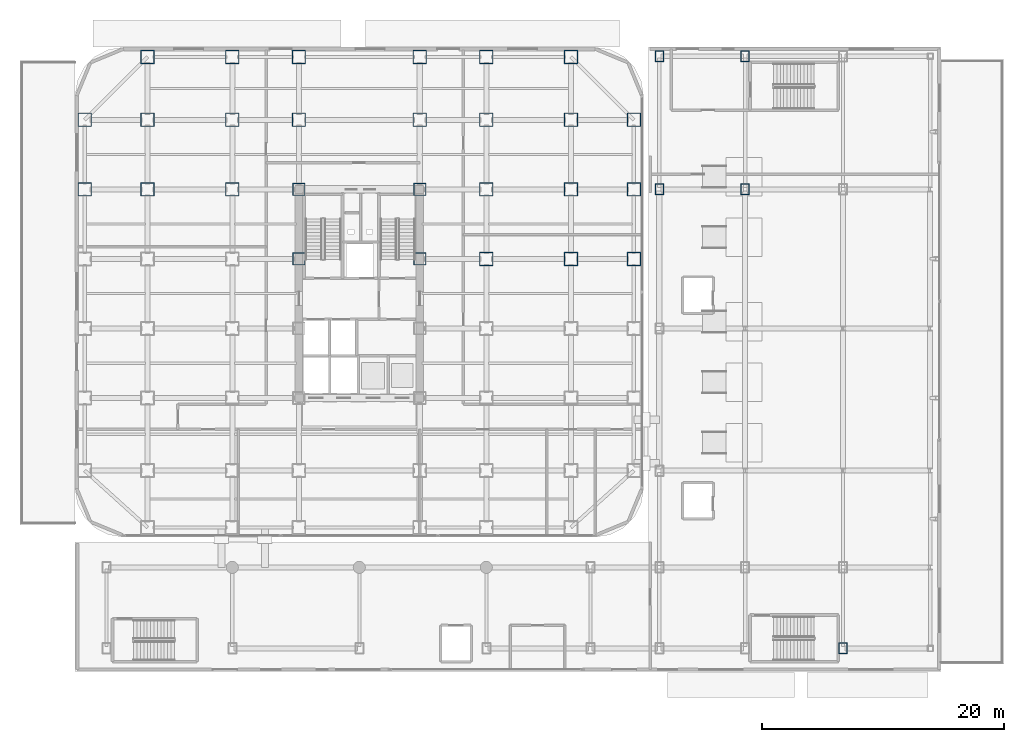
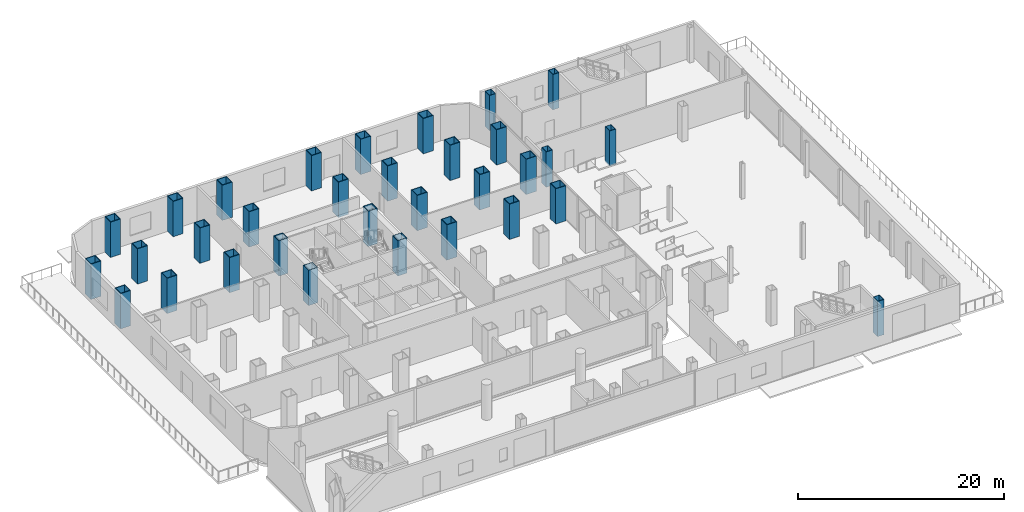
# One storey, part 2 of 31: 32 columns.
"""IFC4 building model written with IfcOpenShell, lengths in metres."""

import ifcopenshell
import ifcopenshell.guid

model = None  # the IFC model being written
_history = None  # IfcOwnerHistory: only IFC2X3 demands one
_inside = {}  # id of a spatial element -> (the spatial element, [elements in it])
_under = {}  # id of a project, library or spatial element -> (it, [spatial elements below it])
_declared = {}  # id of a project -> (the project, [libraries it declares])
_typed = {}  # id of a type object -> (the type object, [elements of that type])
_made_of = {}  # id of a material, layer set ... -> (it, [elements and type objects made of it])


def new_model(schema):
    """Start an empty IFC model of exactly this schema.

    Asked for "IFC4X3", IfcOpenShell would pick the latest addendum, in which some entities
    have other attributes; the version numbers below select the first issue.
    IFC2X3 requires an IfcOwnerHistory on every rooted entity: one is made here for all.
    """
    global model, _history
    if schema == "IFC4X3":
        model = ifcopenshell.file(schema_version=(4, 3, 0, 0))
    else:
        model = ifcopenshell.file(schema=schema)
    _inside.clear()
    _under.clear()
    _declared.clear()
    _typed.clear()
    _made_of.clear()
    _history = None
    if model.schema == "IFC2X3":
        org = make("IfcOrganization", Name="unknown")
        user = make(
            "IfcPersonAndOrganization",
            ThePerson=make("IfcPerson", FamilyName="unknown"),
            TheOrganization=org,
        )
        app = make(
            "IfcApplication",
            ApplicationDeveloper=org,
            Version="unknown",
            ApplicationFullName="unknown",
            ApplicationIdentifier="unknown",
        )
        _history = make(
            "IfcOwnerHistory",
            OwningUser=user,
            OwningApplication=app,
            ChangeAction="ADDED",
            CreationDate=0,
        )
    return model


def make(cls, **values):
    """One entity of the class cls with the attributes given. An attribute that is None is left unset."""
    return model.create_entity(
        cls, **{name: value for name, value in values.items() if value is not None}
    )


def rooted(cls, **values):
    """An entity with a GlobalId (a new one), such as an element, a storey or a relation."""
    return make(cls, GlobalId=ifcopenshell.guid.new(), OwnerHistory=_history, **values)


def si_unit(unit_type, name, prefix=None):
    """IfcSIUnit, for example si_unit("LENGTHUNIT", "METRE", prefix="MILLI")."""
    return make("IfcSIUnit", UnitType=unit_type, Prefix=prefix, Name=name)


def assignment(units):
    """IfcUnitAssignment: the units of a project."""
    return None if units is None else make("IfcUnitAssignment", Units=units)


def point(xyz):
    """IfcCartesianPoint."""
    return None if xyz is None else make("IfcCartesianPoint", Coordinates=xyz)


def direction(xyz):
    """IfcDirection."""
    return None if xyz is None else make("IfcDirection", DirectionRatios=xyz)


def frame(location, z_axis=None, x_axis=None):
    """IfcAxis2Placement3D, a coordinate frame: its origin and axes. An axis left out is left unset."""
    return make(
        "IfcAxis2Placement3D",
        Location=point(location),
        Axis=direction(z_axis),
        RefDirection=direction(x_axis),
    )


def frame_2d(location, x_axis=None):
    """IfcAxis2Placement2D, a coordinate frame in the plane: its origin and x axis."""
    return make(
        "IfcAxis2Placement2D", Location=point(location), RefDirection=direction(x_axis)
    )


def origin():
    """The frame at (0, 0, 0) with its axes left unset."""
    return frame((0.0, 0.0, 0.0))


def origin_2d():
    """The frame at (0, 0) in the plane with its x axis left unset."""
    return frame_2d((0.0, 0.0))


def place(relative_to, where):
    """IfcLocalPlacement: puts the frame where relative to a parent placement (None: the world)."""
    return make(
        "IfcLocalPlacement", PlacementRelTo=relative_to, RelativePlacement=where
    )


def context(
    kind, dimensions, precision=None, world=None, true_north=None, identifier=None
):
    """IfcGeometricRepresentationContext, for example the 3D "Model" context."""
    return make(
        "IfcGeometricRepresentationContext",
        ContextIdentifier=identifier,
        ContextType=kind,
        CoordinateSpaceDimension=dimensions,
        Precision=precision,
        WorldCoordinateSystem=world,
        TrueNorth=true_north,
    )


def subcontext(parent, identifier, kind, view, scale=None):
    """IfcGeometricRepresentationSubContext, for example "Body" below "Model"."""
    return make(
        "IfcGeometricRepresentationSubContext",
        ContextIdentifier=identifier,
        ContextType=kind,
        ParentContext=parent,
        TargetScale=scale,
        TargetView=view,
    )


def project(units=None, contexts=None):
    """IfcProject with its units and contexts."""
    return rooted(
        "IfcProject",
        Name="project",
        RepresentationContexts=contexts,
        UnitsInContext=assignment(units),
    )


def spatial(cls, under=None, at=None, **own):
    """A site, building, storey or space (cls), placed at a placement, below another one or the project."""
    s = rooted(cls, ObjectPlacement=at, **own)
    if under is not None:
        _under.setdefault(under.id(), (under, []))[1].append(s)
    return s


def profile(cls, at=None, kind="AREA", **sizes):
    """A parametric profile (cls). Its sizes go by their IFC names, for example OverallWidth=200.0."""
    return make(cls, ProfileType=kind, Position=at, **sizes)


def hollow_rectangle(**sizes):
    """IfcRectangleHollowProfileDef."""
    return profile("IfcRectangleHollowProfileDef", **sizes)


def extrude(swept, where, along, depth):
    """IfcExtrudedAreaSolid: the profile swept, set in the frame where, extruded along a direction by depth."""
    return make(
        "IfcExtrudedAreaSolid",
        SweptArea=swept,
        Position=where,
        ExtrudedDirection=direction(along),
        Depth=depth,
    )


def shape(context_of_items, identifier, shape_type, items):
    """IfcShapeRepresentation: the items that make up one representation, for example the "Body"."""
    return make(
        "IfcShapeRepresentation",
        ContextOfItems=context_of_items,
        RepresentationIdentifier=identifier,
        RepresentationType=shape_type,
        Items=items,
    )


def source(mapping_origin, context_of_items, identifier, shape_type, items):
    """IfcRepresentationMap: a shape defined once, which mapped items show again and again."""
    return make(
        "IfcRepresentationMap",
        MappingOrigin=mapping_origin,
        MappedRepresentation=shape(context_of_items, identifier, shape_type, items),
    )


def transform(
    local_origin,
    x_axis=None,
    y_axis=None,
    z_axis=None,
    scale=None,
    scale2=None,
    scale3=None,
    uniform=True,
):
    """IfcCartesianTransformationOperator3D, or its non-uniform kind. x_axis, y_axis, z_axis: its Axis1, 2, 3."""
    if uniform:
        return make(
            "IfcCartesianTransformationOperator3D",
            Axis1=direction(x_axis),
            Axis2=direction(y_axis),
            LocalOrigin=point(local_origin),
            Scale=scale,
            Axis3=direction(z_axis),
        )
    return make(
        "IfcCartesianTransformationOperator3DnonUniform",
        Axis1=direction(x_axis),
        Axis2=direction(y_axis),
        LocalOrigin=point(local_origin),
        Scale=scale,
        Axis3=direction(z_axis),
        Scale2=scale2,
        Scale3=scale3,
    )


def mapped(mapping_source, mapping_target):
    """IfcMappedItem: shows the shape of a source again, moved by a transform."""
    return make(
        "IfcMappedItem", MappingSource=mapping_source, MappingTarget=mapping_target
    )


def material(Name=None, Category=None):
    """IfcMaterial."""
    return make("IfcMaterial", Name=Name, Category=Category)


def material_profile(
    of_material, cross_section, Name=None, Category=None, Priority=None
):
    """IfcMaterialProfile: a cross section and its material."""
    return make(
        "IfcMaterialProfile",
        Name=Name,
        Material=of_material,
        Profile=cross_section,
        Priority=Priority,
        Category=Category,
    )


def profile_set(profiles, Name=None, composite=None):
    """IfcMaterialProfileSet."""
    return make(
        "IfcMaterialProfileSet",
        Name=Name,
        MaterialProfiles=profiles,
        CompositeProfile=composite,
    )


def made_of(thing, what):
    """Note that an element or type object is made of a material, layer set ...; save() writes the relation."""
    if what is not None:
        _made_of.setdefault(what.id(), (what, []))[1].append(thing)
    return thing


def type_object(cls, material=None, **own):
    """A type object (cls), such as IfcWallType, which elements share."""
    return made_of(rooted(cls, **own), material)


def element(
    cls,
    number,
    at=None,
    inside=None,
    cuts=None,
    type_object=None,
    material=None,
    context=None,
    identifier="Body",
    shape_type=None,
    held_by="IfcProductDefinitionShape",
    body=None,
    shapes=None,
    **own,
):
    """One element of the class cls, such as IfcWall. Its Tag is "e" and its number.

    at: its placement. inside: the storey or other place that contains it. cuts: it is an
    opening in that element (IfcRelVoidsElement). A single representation is given by context,
    identifier, shape_type and body (its items); several are given by shapes. held_by: the class
    of the entity that holds the representations. save() writes the other relations.
    """
    e = rooted(cls, Tag="e%d" % number, ObjectPlacement=at, **own)
    if body is not None:
        shapes = [shape(context, identifier, shape_type, body)]
    if shapes is not None:
        e.Representation = make(held_by, Representations=shapes)
    if inside is not None:
        _inside.setdefault(inside.id(), (inside, []))[1].append(e)
    if cuts is not None:
        rooted(
            "IfcRelVoidsElement", RelatingBuildingElement=cuts, RelatedOpeningElement=e
        )
    if type_object is not None:
        _typed.setdefault(type_object.id(), (type_object, []))[1].append(e)
    return made_of(e, material)


def aggregate(whole, parts):
    """IfcRelAggregates: a whole, such as a stair, and the parts it consists of."""
    return rooted("IfcRelAggregates", RelatingObject=whole, RelatedObjects=parts)


def save(model, path):
    """Write the relations noted so far, then the file.

    IfcRelAggregates (storeys below a building ...), IfcRelContainedInSpatialStructure (elements
    in a storey), IfcRelDefinesByType, IfcRelAssociatesMaterial and IfcRelDeclares: one each for
    every whole, place, type object, material and project.
    """
    for whole, parts in _under.values():
        aggregate(whole, parts)
    for where, things in _inside.values():
        rooted(
            "IfcRelContainedInSpatialStructure",
            RelatedElements=things,
            RelatingStructure=where,
        )
    for kind, things in _typed.values():
        rooted("IfcRelDefinesByType", RelatedObjects=things, RelatingType=kind)
    for what, things in _made_of.values():
        rooted("IfcRelAssociatesMaterial", RelatedObjects=things, RelatingMaterial=what)
    for by, libraries in _declared.values():
        rooted("IfcRelDeclares", RelatingContext=by, RelatedDefinitions=libraries)
    model.write(path)


model = new_model("IFC4")

# Units and contexts
model_context = context("Model", 3, precision=1e-05, world=origin(), true_north=direction((0.0, 1.0)))
body_context = subcontext(model_context, "Body", "Model", "MODEL_VIEW")
ifc_project = project(units=[si_unit("LENGTHUNIT", "METRE"), si_unit("AREAUNIT", "SQUARE_METRE"), si_unit("VOLUMEUNIT", "CUBIC_METRE"), si_unit("PLANEANGLEUNIT", "RADIAN"), si_unit("MASSUNIT", "GRAM", prefix="KILO")], contexts=[model_context])

# Site, building, storey
site_placement = place(None, origin())
site = spatial("IfcSite", under=ifc_project, at=site_placement, CompositionType="ELEMENT")
building_placement = place(site_placement, origin())
building = spatial("IfcBuilding", under=site, at=building_placement, Name="Kolveth Station Tower", CompositionType="ELEMENT")
storey_placement = place(building_placement, origin())
storey = spatial("IfcBuildingStorey", under=building, at=storey_placement, Name="L00", CompositionType="ELEMENT", Elevation=0.0)

# Columns
ifc_material_1 = material(Name="Steel S460", Category="steel")
ifc_material_profile_1 = material_profile(ifc_material_1, hollow_rectangle(XDim=1.139892578125, YDim=1.139892578125, WallThickness=0.070068359375, at=origin_2d()), Name="BOX1140x1140x70")
ifc_profile_set_1 = profile_set([ifc_material_profile_1], Name="Steel S460")
column_type_1 = type_object("IfcColumnType", Name="Col_C1", PredefinedType="COLUMN", material=ifc_profile_set_1)
shared_shape_1 = source(origin(), body_context, "Body", "SweptSolid", [
    extrude(hollow_rectangle(XDim=1.139892578125, YDim=1.139892578125, WallThickness=0.070068359375, at=origin_2d()), origin(), (0.0, 0.0, 1.0), 4.179931640625),
])
for number, where, z_axis, x_axis, name in (
    (1, (6.0, 39.699951171875, 0.0), (0.0, 0.0, 1.0), (1.0, 0.0, 0.0), "L00 Tower Column N-X60"),
    (2, (13.0, 39.699951171875, 0.0), (0.0, 0.0, 1.0), (1.0, 0.0, 0.0), "L00 Tower Column N-X130"),
    (3, (18.5, 39.699951171875, 0.0), (0.0, 0.0, 1.0), (1.0, 0.0, 0.0), "L00 Tower Column N-X185"),
    (4, (28.5, 39.699951171875, 0.0), (0.0, 0.0, 1.0), (1.0, 0.0, 0.0), "L00 Tower Column N-X285"),
    (5, (34.0, 39.699951171875, 0.0), (0.0, 0.0, 1.0), (1.0, 0.0, 0.0), "L00 Tower Column N-X340"),
    (6, (41.0, 39.699951171875, 0.0), (0.0, 0.0, 1.0), (1.0, 0.0, 0.0), "L00 Tower Column N-X410"),
    (7, (46.199951171875, 23.0, 0.0), (0.0, 0.0, 1.0), (1.0, 0.0, 0.0), "L00 Tower Column E-Y230"),
    (8, (0.800048828125, 28.75, 0.0), (0.0, 0.0, 1.0), (1.0, 0.0, 0.0), "L00 Tower Column W-Y287"),
    (9, (46.199951171875, 28.75, 0.0), (0.0, 0.0, 1.0), (1.0, 0.0, 0.0), "L00 Tower Column E-Y287"),
    (10, (0.800048828125, 34.5, 0.0), (0.0, 0.0, 1.0), (1.0, 0.0, 0.0), "L00 Tower Column W-Y345"),
    (11, (46.199951171875, 34.5, 0.0), (0.0, 0.0, 1.0), (1.0, 0.0, 0.0), "L00 Tower Column E-Y345"),
    (12, (6.0, 28.75, 0.0), (0.0, 0.0, 1.0), (1.0, 0.0, 0.0), "L00 Tower Column G-60-287"),
    (13, (6.0, 34.5, 0.0), (0.0, 0.0, 1.0), (1.0, 0.0, 0.0), "L00 Tower Column G-60-345"),
    (14, (13.0, 28.75, 0.0), (0.0, 0.0, 1.0), (1.0, 0.0, 0.0), "L00 Tower Column G-130-287"),
    (15, (13.0, 34.5, 0.0), (0.0, 0.0, 1.0), (1.0, 0.0, 0.0), "L00 Tower Column G-130-345"),
    (16, (18.5, 34.5, 0.0), (0.0, 0.0, 1.0), (1.0, 0.0, 0.0), "L00 Tower Column G-185-345"),
    (17, (28.5, 34.5, 0.0), (0.0, 0.0, 1.0), (1.0, 0.0, 0.0), "L00 Tower Column G-285-345"),
    (18, (34.0, 23.0, 0.0), (0.0, 0.0, 1.0), (1.0, 0.0, 0.0), "L00 Tower Column G-340-230"),
    (19, (34.0, 28.75, 0.0), (0.0, 0.0, 1.0), (1.0, 0.0, 0.0), "L00 Tower Column G-340-287"),
    (20, (34.0, 34.5, 0.0), (0.0, 0.0, 1.0), (1.0, 0.0, 0.0), "L00 Tower Column G-340-345"),
    (21, (41.0, 23.0, 0.0), (0.0, 0.0, 1.0), (1.0, 0.0, 0.0), "L00 Tower Column G-410-230"),
    (22, (41.0, 28.75, 0.0), (0.0, 0.0, 1.0), (1.0, 0.0, 0.0), "L00 Tower Column G-410-287"),
    (23, (41.0, 34.5, 0.0), (0.0, 0.0, 1.0), (1.0, 0.0, 0.0), "L00 Tower Column G-410-345"),
):
    element("IfcColumn", number, at=place(storey_placement, frame(where, z_axis=z_axis, x_axis=x_axis)), inside=storey, type_object=column_type_1, Name=name, PredefinedType="COLUMN", context=body_context, shape_type="MappedRepresentation", body=[
        mapped(shared_shape_1, transform((0.0, 0.0, 0.0), x_axis=(1.0, 0.0, 0.0), y_axis=(0.0, 1.0, 0.0), z_axis=(0.0, 0.0, 1.0), scale=1.0)),
    ])
ifc_material_profile_2 = material_profile(ifc_material_1, hollow_rectangle(XDim=1.0400390625, YDim=1.0400390625, WallThickness=0.06494140625, at=origin_2d()), Name="BOX1040x1040x65")
ifc_profile_set_2 = profile_set([ifc_material_profile_2], Name="Steel S460")
column_type_2 = type_object("IfcColumnType", Name="Col_C2", PredefinedType="COLUMN", material=ifc_profile_set_2)
shared_shape_2 = source(origin(), body_context, "Body", "SweptSolid", [
    extrude(hollow_rectangle(XDim=1.0400390625, YDim=1.0400390625, WallThickness=0.06494140625, at=origin_2d()), origin(), (0.0, 0.0, 1.0), 4.179931640625),
])
for number, where, z_axis, x_axis, name in (
    (24, (18.5, 23.0, 0.0), (0.0, 0.0, 1.0), (1.0, 0.0, 0.0), "L00 Tower Column G-185-230"),
    (25, (18.5, 28.75, 0.0), (0.0, 0.0, 1.0), (1.0, 0.0, 0.0), "L00 Tower Column G-185-287"),
    (26, (28.5, 23.0, 0.0), (0.0, 0.0, 1.0), (1.0, 0.0, 0.0), "L00 Tower Column G-285-230"),
    (27, (28.5, 28.75, 0.0), (0.0, 0.0, 1.0), (1.0, 0.0, 0.0), "L00 Tower Column G-285-287"),
):
    element("IfcColumn", number, at=place(storey_placement, frame(where, z_axis=z_axis, x_axis=x_axis)), inside=storey, type_object=column_type_2, Name=name, PredefinedType="COLUMN", context=body_context, shape_type="MappedRepresentation", body=[
        mapped(shared_shape_2, transform((0.0, 0.0, 0.0), x_axis=(1.0, 0.0, 0.0), y_axis=(0.0, 1.0, 0.0), z_axis=(0.0, 0.0, 1.0), scale=1.0)),
    ])
ifc_material_2 = material(Name="Steel S355", Category="steel")
ifc_material_profile_3 = material_profile(ifc_material_2, hollow_rectangle(XDim=0.699951171875, YDim=0.89990234375, WallThickness=0.0400390625, at=origin_2d()), Name="BOX900x700x40")
ifc_profile_set_3 = profile_set([ifc_material_profile_3], Name="Steel S355")
column_type_3 = type_object("IfcColumnType", Name="Col_SC1", PredefinedType="COLUMN", material=ifc_profile_set_3)
shared_shape_3 = source(origin(), body_context, "Body", "SweptSolid", [
    extrude(hollow_rectangle(XDim=0.699951171875, YDim=0.89990234375, WallThickness=0.0400390625, at=origin_2d()), origin(), (0.0, 0.0, 1.0), 4.179931640625),
])
for number, where, z_axis, x_axis, name in (
    (28, (48.300048828125, 28.75, 0.0), (0.0, 0.0, 1.0), (1.0, 0.0, 0.0), "L00 Station Column SE-1-5"),
    (29, (48.300048828125, 39.75, 0.0), (0.0, 0.0, 1.0), (1.0, 0.0, 0.0), "L00 Station Column SE-1-6"),
    (30, (55.39990234375, 28.75, 0.0), (0.0, 0.0, 1.0), (1.0, 0.0, 0.0), "L00 Station Column SE-2-5"),
    (31, (55.39990234375, 39.75, 0.0), (0.0, 0.0, 1.0), (1.0, 0.0, 0.0), "L00 Station Column SE-2-6"),
    (32, (63.5, -9.199951171875, 0.0), (0.0, 0.0, 1.0), (1.0, 0.0, 0.0), "L00 Station Column SE-3-1"),
):
    element("IfcColumn", number, at=place(storey_placement, frame(where, z_axis=z_axis, x_axis=x_axis)), inside=storey, type_object=column_type_3, Name=name, PredefinedType="COLUMN", context=body_context, shape_type="MappedRepresentation", body=[
        mapped(shared_shape_3, transform((0.0, 0.0, 0.0), x_axis=(1.0, 0.0, 0.0), y_axis=(0.0, 1.0, 0.0), z_axis=(0.0, 0.0, 1.0), scale=1.0)),
    ])

save(model, "model.ifc")
